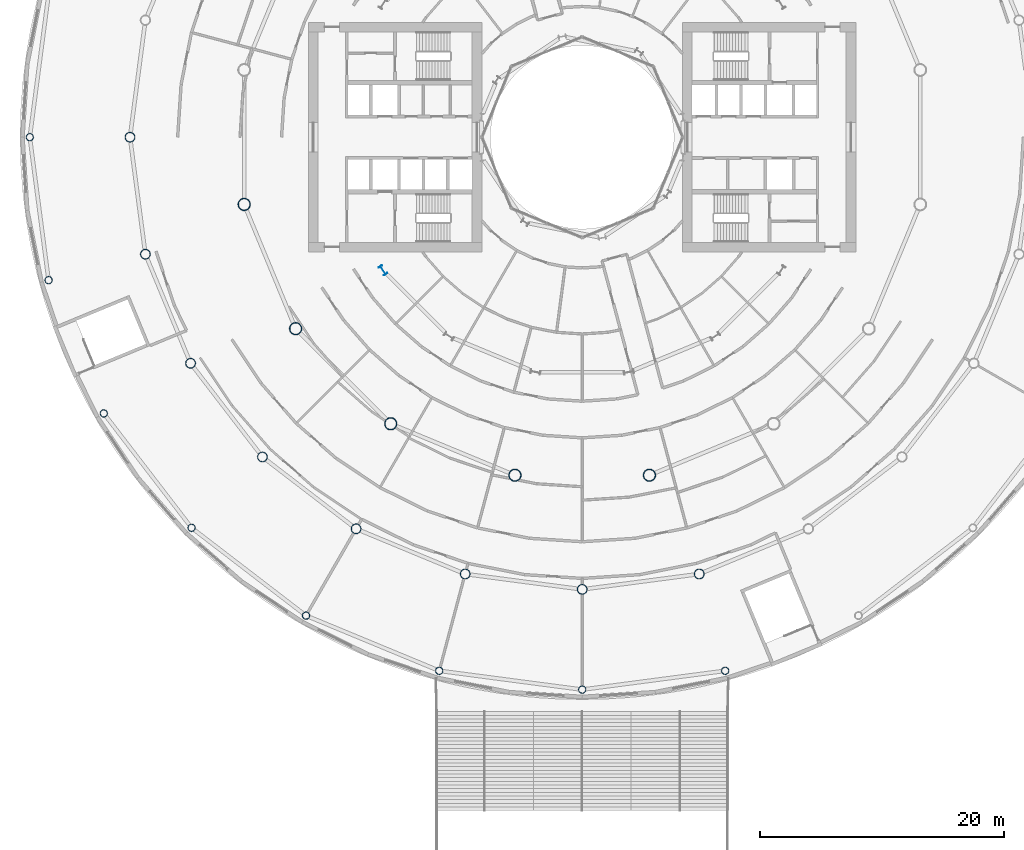
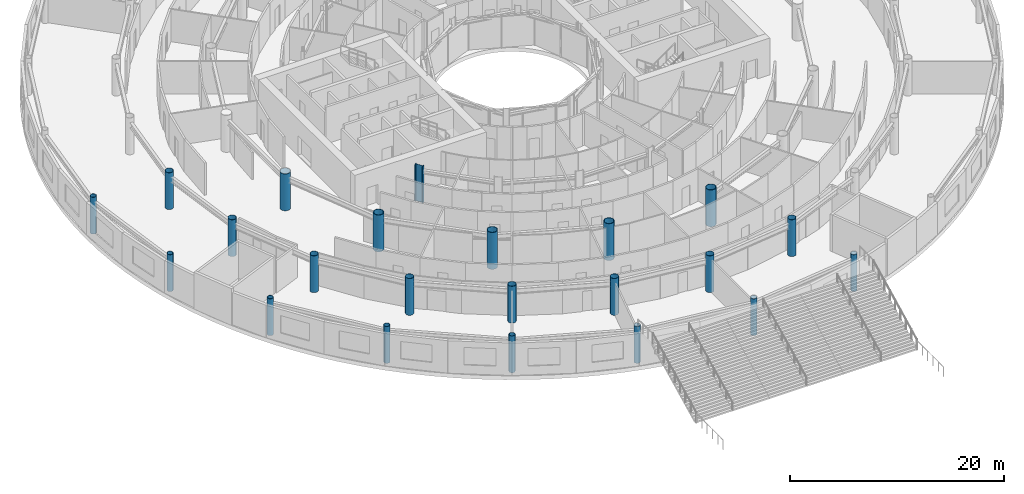
# One storey, part 1 of 29: 22 columns.
"""IFC4 building model written with IfcOpenShell, lengths in metres."""

from ifc_helpers import new_model, si_unit, direction, frame, origin, origin_2d, place, context, subcontext, project, spatial, hollow_circle, i_section, extrude, material, material_profile, profile_set, type_object, element, save


model = new_model("IFC4")

# Units and contexts
model_context = context("Model", 3, precision=1e-05, world=origin(), true_north=direction((0.0, 1.0)))
body_context = subcontext(model_context, "Body", "Model", "MODEL_VIEW")
ifc_project = project(units=[si_unit("LENGTHUNIT", "METRE"), si_unit("AREAUNIT", "SQUARE_METRE"), si_unit("VOLUMEUNIT", "CUBIC_METRE"), si_unit("PLANEANGLEUNIT", "RADIAN"), si_unit("MASSUNIT", "GRAM", prefix="KILO")], contexts=[model_context])

# Site, building, storey
site_placement = place(None, origin())
site = spatial("IfcSite", under=ifc_project, at=site_placement, CompositionType="ELEMENT")
building_placement = place(site_placement, origin())
building = spatial("IfcBuilding", under=site, at=building_placement, Name="Maasbend Ring Residences", CompositionType="ELEMENT")
storey_placement = place(building_placement, frame((0.0, 0.0, 5.39990234375)))
storey = spatial("IfcBuildingStorey", under=building, at=storey_placement, Name="L01", CompositionType="ELEMENT", Elevation=5.39990234375)

# Columns
ifc_material_1 = material(Name="Composite concrete-filled steel tube S460NH / C80/95", Category="concrete")
ifc_material_profile_1 = material_profile(ifc_material_1, hollow_circle(Radius=0.508056640625, WallThickness=0.050048828125, at=origin_2d()), Name="Composite tube column CHS 1016x50")
ifc_profile_set_1 = profile_set([ifc_material_profile_1], Name="Composite concrete-filled steel tube S460NH / C80/95")
column_type_1 = type_object("IfcColumnType", Name="Composite tube column CHS 1016x50", PredefinedType="COLUMN", material=ifc_profile_set_1)
for number, where, z_axis, x_axis, name in (
    (1, (-27.658203125, -5.50146484375, 0.0), (0.0, 0.0, 1.0), (1.0, 0.0, 0.0), "Outer column R9"),
    (2, (-23.447509765625, -15.6669921875, 0.0), (0.0, 0.0, 1.0), (1.0, 0.0, 0.0), "Outer column R10"),
    (3, (-15.6669921875, -23.447509765625, 0.0), (0.0, 0.0, 1.0), (1.0, 0.0, 0.0), "Outer column R11"),
    (4, (-5.50146484375, -27.658203125, 0.0), (0.0, 0.0, 1.0), (1.0, 0.0, 0.0), "Outer column R12"),
    (5, (5.50146484375, -27.658203125, 0.0), (0.0, 0.0, 1.0), (1.0, 0.0, 0.0), "Outer column R13"),
):
    element("IfcColumn", number, at=place(storey_placement, frame(where, z_axis=z_axis, x_axis=x_axis)), inside=storey, type_object=column_type_1, Name=name, PredefinedType="COLUMN", context=body_context, shape_type="SweptSolid", body=[
        extrude(hollow_circle(Radius=0.508056640625, WallThickness=0.050048828125, at=origin_2d()), origin(), (0.0, 0.0, 1.0), 4.2001953125),
    ])
ifc_material_2 = material(Name="Composite concrete-filled steel tube S460NH / C80/95", Category="concrete")
ifc_material_profile_2 = material_profile(ifc_material_2, hollow_circle(Radius=0.304931640625, WallThickness=0.02490234375, at=origin_2d()), Name="Composite tube column CHS 610x25")
ifc_profile_set_2 = profile_set([ifc_material_profile_2], Name="Composite concrete-filled steel tube S460NH / C80/95")
column_type_2 = type_object("IfcColumnType", Name="Composite tube column CHS 610x25", PredefinedType="COLUMN", material=ifc_profile_set_2)
for number, where, z_axis, x_axis, name in (
    (6, (-45.199951171875, 0.0, 0.0), (0.0, 0.0, 1.0), (1.0, 0.0, 0.0), "Deck edge column B13"),
    (7, (-43.659912109375, -11.698486328125, 0.0), (0.0, 0.0, 1.0), (1.0, 0.0, 0.0), "Deck edge column B14"),
    (8, (-39.144287109375, -22.60009765625, 0.0), (0.0, 0.0, 1.0), (1.0, 0.0, 0.0), "Deck edge column B15"),
    (9, (-31.961181640625, -31.961181640625, 0.0), (0.0, 0.0, 1.0), (1.0, 0.0, 0.0), "Deck edge column B16"),
    (10, (-22.60009765625, -39.144287109375, 0.0), (0.0, 0.0, 1.0), (1.0, 0.0, 0.0), "Deck edge column B17"),
    (11, (-11.698486328125, -43.659912109375, 0.0), (0.0, 0.0, 1.0), (1.0, 0.0, 0.0), "Deck edge column B18"),
    (12, (0.0, -45.199951171875, 0.0), (0.0, 0.0, 1.0), (1.0, 0.0, 0.0), "Deck edge column B19"),
    (13, (11.698486328125, -43.659912109375, 0.0), (0.0, 0.0, 1.0), (1.0, 0.0, 0.0), "Deck edge column B20"),
):
    element("IfcColumn", number, at=place(storey_placement, frame(where, z_axis=z_axis, x_axis=x_axis)), inside=storey, type_object=column_type_2, Name=name, PredefinedType="COLUMN", context=body_context, shape_type="SweptSolid", body=[
        extrude(hollow_circle(Radius=0.304931640625, WallThickness=0.02490234375, at=origin_2d()), origin(), (0.0, 0.0, 1.0), 4.2001953125),
    ])
ifc_material_3 = material(Name="Composite concrete-filled steel tube S460NH / C80/95", Category="concrete")
ifc_material_profile_3 = material_profile(ifc_material_3, hollow_circle(Radius=0.406494140625, WallThickness=0.030029296875, at=origin_2d()), Name="Composite tube column CHS 813x30")
ifc_profile_set_3 = profile_set([ifc_material_profile_3], Name="Composite concrete-filled steel tube S460NH / C80/95")
column_type_3 = type_object("IfcColumnType", Name="Composite tube column CHS 813x30", PredefinedType="COLUMN", material=ifc_profile_set_3)
for number, where, z_axis, x_axis, name in (
    (14, (-37.0, 0.0, 0.0), (0.0, 0.0, 1.0), (1.0, 0.0, 0.0), "Podium column B13"),
    (15, (-35.7392578125, -9.576416015625, 0.0), (0.0, 0.0, 1.0), (1.0, 0.0, 0.0), "Podium column B14"),
    (16, (-32.04296875, -18.5, 0.0), (0.0, 0.0, 1.0), (1.0, 0.0, 0.0), "Podium column B15"),
    (17, (-26.1630859375, -26.1630859375, 0.0), (0.0, 0.0, 1.0), (1.0, 0.0, 0.0), "Podium column B16"),
    (18, (-18.5, -32.04296875, 0.0), (0.0, 0.0, 1.0), (1.0, 0.0, 0.0), "Podium column B17"),
    (19, (-9.576416015625, -35.7392578125, 0.0), (0.0, 0.0, 1.0), (1.0, 0.0, 0.0), "Podium column B18"),
    (20, (0.0, -37.0, 0.0), (0.0, 0.0, 1.0), (1.0, 0.0, 0.0), "Podium column B19"),
    (21, (9.576416015625, -35.7392578125, 0.0), (0.0, 0.0, 1.0), (1.0, 0.0, 0.0), "Podium column B20"),
):
    element("IfcColumn", number, at=place(storey_placement, frame(where, z_axis=z_axis, x_axis=x_axis)), inside=storey, type_object=column_type_3, Name=name, PredefinedType="COLUMN", context=body_context, shape_type="SweptSolid", body=[
        extrude(hollow_circle(Radius=0.406494140625, WallThickness=0.030029296875, at=origin_2d()), origin(), (0.0, 0.0, 1.0), 4.2001953125),
    ])
ifc_material_4 = material(Name="Steel S460M", Category="steel")
ifc_material_profile_4 = material_profile(ifc_material_4, i_section(OverallWidth=0.302978515625, OverallDepth=0.81396484375, WebThickness=0.02099609375, FlangeThickness=0.0400390625, FilletRadius=0.030029296875, at=origin_2d()), Name="HEM 800")
ifc_profile_set_4 = profile_set([ifc_material_profile_4], Name="Steel S460M")
column_type_4 = type_object("IfcColumnType", Name="Steel column HEM 800", PredefinedType="COLUMN", material=ifc_profile_set_4)
column_placement = place(storey_placement, frame((-16.296875, -10.88916015625, 0.0), z_axis=(0.0, 0.0, 1.0), x_axis=(-0.831469612303, -0.55557023302, 0.0)))
element("IfcColumn", 22, at=column_placement, inside=storey, type_object=column_type_4, Name="Corridor ring column R10", PredefinedType="COLUMN", context=body_context, shape_type="SweptSolid", body=[
    extrude(i_section(OverallWidth=0.302978515625, OverallDepth=0.81396484375, WebThickness=0.02099609375, FlangeThickness=0.0400390625, FilletRadius=0.030029296875, at=origin_2d()), origin(), (0.0, 0.0, 1.0), 4.2001953125),
])

save(model, "model.ifc")
